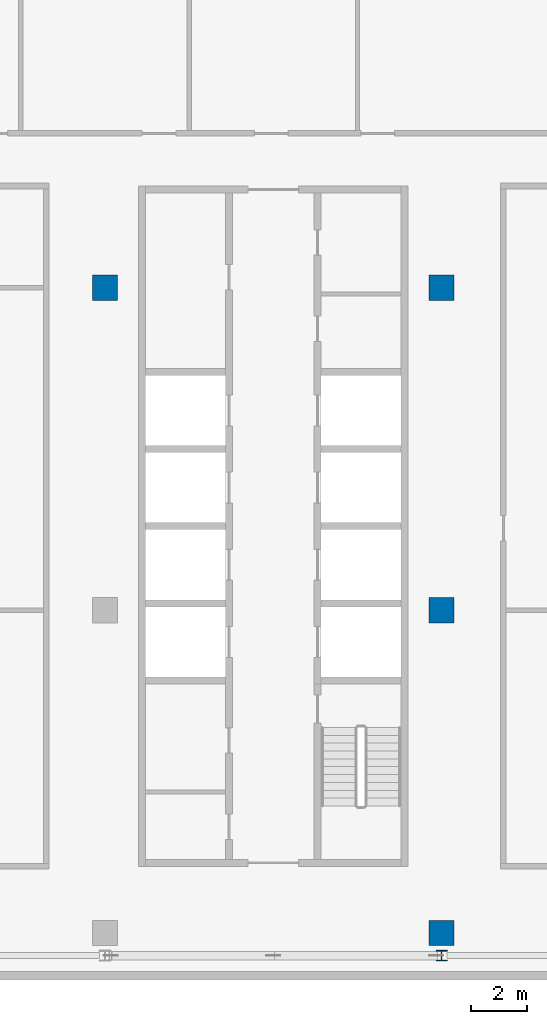
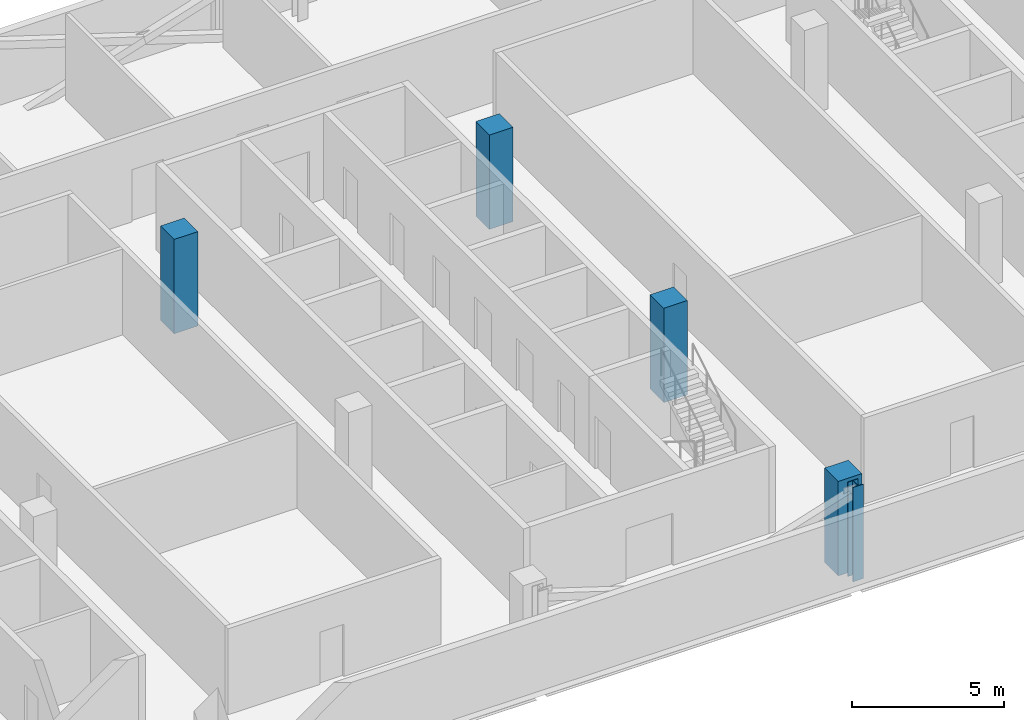
# One storey, part 2 of 29: 5 columns.
"""IFC4 building model written with IfcOpenShell, lengths in metres."""

from ifc_helpers import new_model, si_unit, direction, frame, origin, origin_2d, place, context, subcontext, project, spatial, rectangle, i_section, extrude, material, material_profile, profile_set, type_object, element, save


model = new_model("IFC4")

# Units and contexts
model_context = context("Model", 3, precision=1e-05, world=origin(), true_north=direction((0.0, 1.0)))
body_context = subcontext(model_context, "Body", "Model", "MODEL_VIEW")
ifc_project = project(units=[si_unit("LENGTHUNIT", "METRE"), si_unit("AREAUNIT", "SQUARE_METRE"), si_unit("VOLUMEUNIT", "CUBIC_METRE"), si_unit("PLANEANGLEUNIT", "RADIAN"), si_unit("MASSUNIT", "GRAM", prefix="KILO")], contexts=[model_context])

# Site, building, storey
site_placement = place(None, origin())
site = spatial("IfcSite", under=ifc_project, at=site_placement, CompositionType="ELEMENT")
building_placement = place(site_placement, origin())
building = spatial("IfcBuilding", under=site, at=building_placement, Name="Mahtab Terrace Research Tower", CompositionType="ELEMENT")
storey_placement = place(building_placement, frame((0.0, 0.0, 274.699951171875)))
storey = spatial("IfcBuildingStorey", under=building, at=storey_placement, Name="L67", CompositionType="ELEMENT", Elevation=274.699951171875)

# Columns
ifc_material_1 = material(Name="Concrete C70/85", Category="concrete")
ifc_material_profile_1 = material_profile(ifc_material_1, rectangle(XDim=0.89990234375, YDim=0.89990234375, at=origin_2d()), Name="RC column 900x900")
ifc_profile_set_1 = profile_set([ifc_material_profile_1], Name="Concrete C70/85")
column_type_1 = type_object("IfcColumnType", Name="RC column 900x900", PredefinedType="COLUMN", material=ifc_profile_set_1)
for number, where, z_axis, x_axis, name in (
    (1, (-6.0, 11.5, -0.33984375), (0.0, 0.0, 1.0), (1.0, 0.0, 0.0), "Column RC-4C L67"),
    (2, (6.0, -11.5, -0.33984375), (0.0, 0.0, 1.0), (1.0, 0.0, 0.0), "Column RC-5A L67"),
    (3, (6.0, 0.0, -0.33984375), (0.0, 0.0, 1.0), (1.0, 0.0, 0.0), "Column RC-5B L67"),
    (4, (6.0, 11.5, -0.33984375), (0.0, 0.0, 1.0), (1.0, 0.0, 0.0), "Column RC-5C L67"),
):
    element("IfcColumn", number, at=place(storey_placement, frame(where, z_axis=z_axis, x_axis=x_axis)), inside=storey, type_object=column_type_1, Name=name, PredefinedType="COLUMN", context=body_context, shape_type="SweptSolid", body=[
        extrude(rectangle(XDim=0.89990234375, YDim=0.89990234375, at=origin_2d()), origin(), (0.0, 0.0, 1.0), 3.7998046875),
    ])
ifc_material_2 = material(Name="Steel ASTM A992 Gr 50", Category="steel")
ifc_material_profile_2 = material_profile(ifc_material_2, i_section(OverallWidth=0.393798828125, OverallDepth=0.3759765625, WebThickness=0.017333984375, FlangeThickness=0.027587890625, at=origin_2d()), Name="W14X145")
ifc_profile_set_2 = profile_set([ifc_material_profile_2], Name="Steel ASTM A992 Gr 50")
column_type_2 = type_object("IfcColumnType", Name="W14x145 column CS14145", PredefinedType="COLUMN", material=ifc_profile_set_2)
column_placement = place(storey_placement, frame((6.0, -12.306884765625, -0.33984375), z_axis=(0.0, 0.0, 1.0), x_axis=(1.0, 0.0, 0.0)))
element("IfcColumn", 5, at=column_placement, inside=storey, type_object=column_type_2, Name="Column SC-085 L67", PredefinedType="COLUMN", context=body_context, shape_type="SweptSolid", body=[
    extrude(i_section(OverallWidth=0.393798828125, OverallDepth=0.3759765625, WebThickness=0.017333984375, FlangeThickness=0.027587890625, at=origin_2d()), origin(), (0.0, 0.0, 1.0), 3.7998046875),
])

save(model, "model.ifc")
